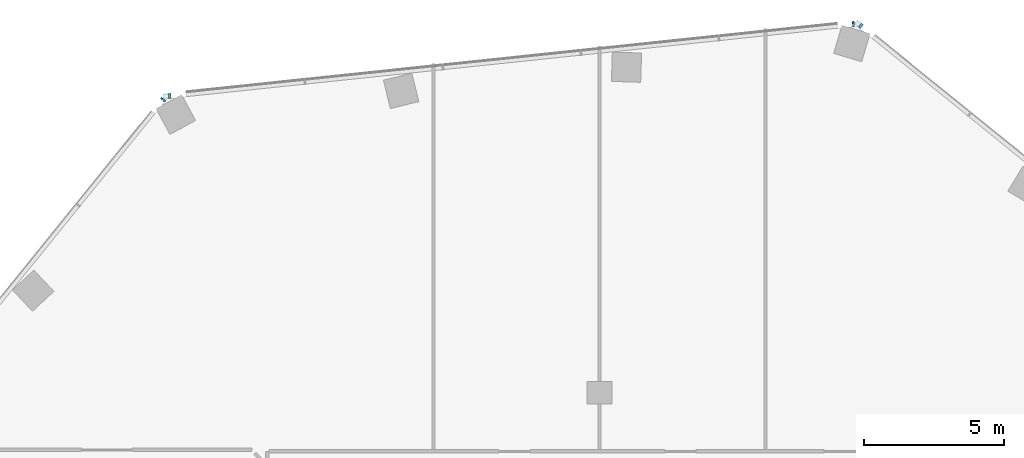
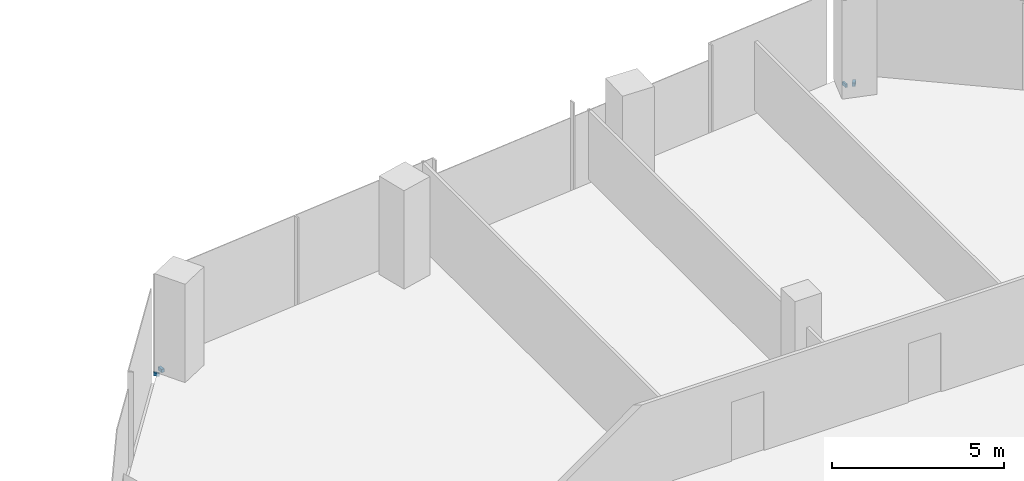
# One storey, part 15 of 23: 4 members, 3 elements without a shape of their own.
"""IFC4 building model written with IfcOpenShell, lengths in metres."""

from ifc_helpers import new_model, si_unit, direction, frame, origin, origin_2d, place, context, subcontext, project, spatial, rectangle, extrude, material, material_profile, profile_set, type_object, element, aggregate, save


model = new_model("IFC4")

# Units and contexts
model_context = context("Model", 3, precision=1e-05, world=origin(), true_north=direction((0.0, 1.0)))
body_context = subcontext(model_context, "Body", "Model", "MODEL_VIEW")
ifc_project = project(units=[si_unit("LENGTHUNIT", "METRE"), si_unit("AREAUNIT", "SQUARE_METRE"), si_unit("VOLUMEUNIT", "CUBIC_METRE"), si_unit("PLANEANGLEUNIT", "RADIAN"), si_unit("MASSUNIT", "GRAM", prefix="KILO")], contexts=[model_context])

# Site, building, storey
site_placement = place(None, origin())
site = spatial("IfcSite", under=ifc_project, at=site_placement, CompositionType="ELEMENT")
building_placement = place(site_placement, origin())
building = spatial("IfcBuilding", under=site, at=building_placement, Name="Orlundy Tower", CompositionType="ELEMENT")
storey_placement = place(building_placement, frame((0.0, 0.0, 224.5)))
storey = spatial("IfcBuildingStorey", under=building, at=storey_placement, Name="L59", CompositionType="ELEMENT", Elevation=224.5)

# Curtain wall, member
ifc_material_1 = material(Name="Aluminium bronze anodised", Category="aluminium")
curtain_wall_type = type_object("IfcCurtainWallType", Name="CW1 wall", PredefinedType="NOTDEFINED", material=ifc_material_1)
curtain_wall_1_placement = place(storey_placement, origin())
curtain_wall_1 = element("IfcCurtainWall", 1, at=curtain_wall_1_placement, inside=storey, type_object=curtain_wall_type, Name="CW1 run 03", PredefinedType="NOTDEFINED")
ifc_material_2 = material(Name="Aluminium bronze anodised", Category="aluminium")
ifc_material_profile = material_profile(ifc_material_2, rectangle(XDim=0.179931640625, YDim=0.1201171875, at=origin_2d()), Name="CW1 transom 180x120")
ifc_profile_set = profile_set([ifc_material_profile], Name="Aluminium bronze anodised")
member_type = type_object("IfcMemberType", Name="CW1 transom 180x120", PredefinedType="USERDEFINED", material=ifc_profile_set)
member_1_placement = place(storey_placement, frame((-15.6591796875, 28.47607421875, -0.360107421875), z_axis=(0.629542030001, 0.776966429431, 0.0), x_axis=(-0.776966429431, 0.629542030001, 0.0)))
member_1 = element("IfcMember", 2, at=member_1_placement, type_object=member_type, Name="CW1 transom", ObjectType="TRANSOM", PredefinedType="USERDEFINED", context=body_context, shape_type="SweptSolid", body=[
    extrude(rectangle(XDim=0.179931640625, YDim=0.1201171875, at=origin_2d()), origin(), (0.0, 0.0, 1.0), 0.061279296875),
])
aggregate(curtain_wall_1, [member_1])

# Curtain wall, members
curtain_wall_2_placement = place(storey_placement, origin())
curtain_wall_2 = element("IfcCurtainWall", 3, at=curtain_wall_2_placement, inside=storey, type_object=curtain_wall_type, Name="CW1 run 04", PredefinedType="NOTDEFINED")
member_2_placement = place(storey_placement, frame((-15.450927734375, 28.632080078125, -0.360107421875), z_axis=(0.994559679357, 0.104168345469, 0.0), x_axis=(-0.104168345469, 0.994559679357, 0.0)))
member_2 = element("IfcMember", 4, at=member_2_placement, type_object=member_type, Name="CW1 transom", ObjectType="TRANSOM", PredefinedType="USERDEFINED", context=body_context, shape_type="SweptSolid", body=[
    extrude(rectangle(XDim=0.179931640625, YDim=0.1201171875, at=origin_2d()), origin(), (0.0, 0.0, 1.0), 0.098388671875),
])
member_3_placement = place(storey_placement, frame((9.0625, 31.208740234375, -0.360107421875), z_axis=(0.994549313552, 0.104267266743, 0.0), x_axis=(-0.104267266743, 0.994549313552, 0.0)))
member_3 = element("IfcMember", 5, at=member_3_placement, type_object=member_type, Name="CW1 transom", ObjectType="TRANSOM", PredefinedType="USERDEFINED", context=body_context, shape_type="SweptSolid", body=[
    extrude(rectangle(XDim=0.179931640625, YDim=0.1201171875, at=origin_2d()), origin(), (0.0, 0.0, 1.0), 0.060791015625),
])
aggregate(curtain_wall_2, [member_2, member_3])

# Curtain wall, member
curtain_wall_3_placement = place(storey_placement, origin())
curtain_wall_3 = element("IfcCurtainWall", 6, at=curtain_wall_3_placement, inside=storey, type_object=curtain_wall_type, Name="CW1 run 05", PredefinedType="NOTDEFINED")
member_4_placement = place(storey_placement, frame((9.319580078125, 31.171875, -0.360107421875), z_axis=(0.776493277507, -0.630125535101, 0.0), x_axis=(0.630125535101, 0.776493277507, 0.0)))
member_4 = element("IfcMember", 7, at=member_4_placement, type_object=member_type, Name="CW1 transom", ObjectType="TRANSOM", PredefinedType="USERDEFINED", context=body_context, shape_type="SweptSolid", body=[
    extrude(rectangle(XDim=0.179931640625, YDim=0.1201171875, at=origin_2d()), origin(), (0.0, 0.0, 1.0), 0.098388671875),
])
aggregate(curtain_wall_3, [member_4])

save(model, "model.ifc")
